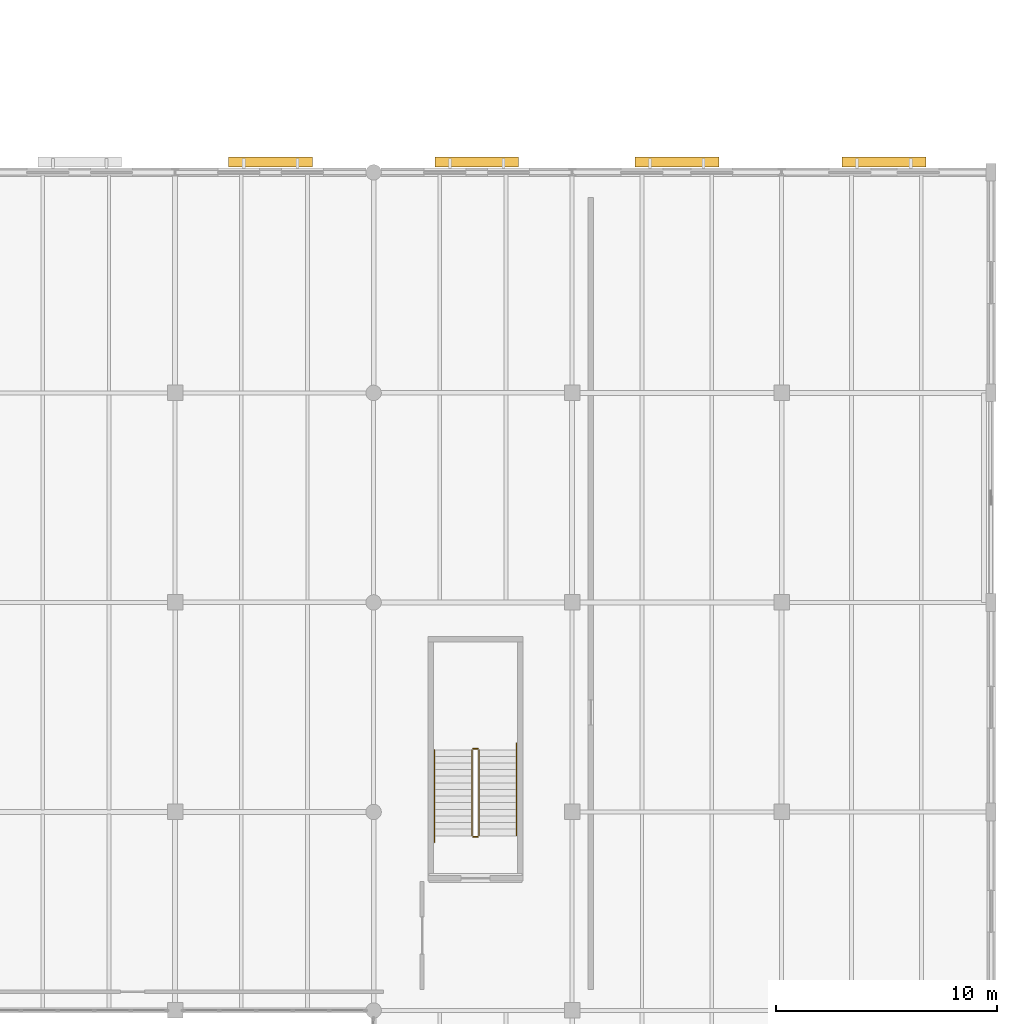
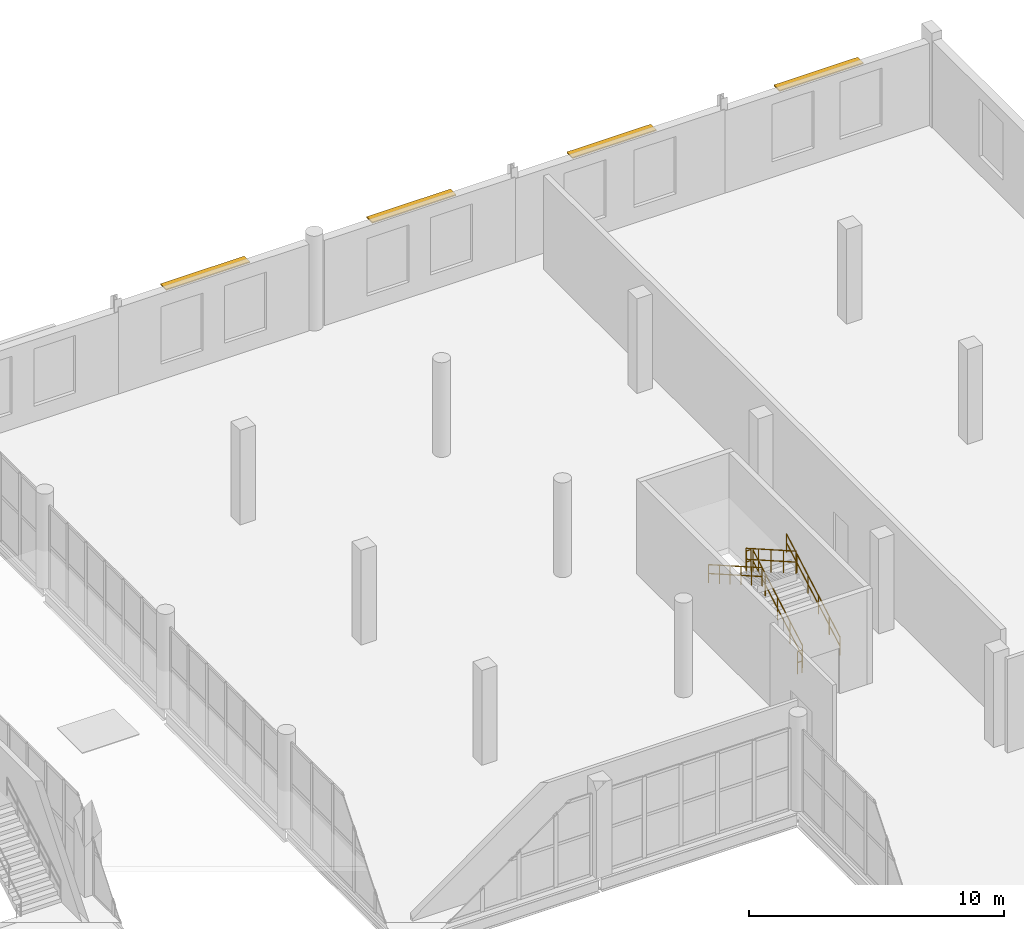
# One storey, part 93 of 93: 6 railings, 4 shading devices.
"""IFC4 building model written with IfcOpenShell, lengths in metres."""

from ifc_helpers import new_model, si_unit, direction, frame, origin, origin_2d, place, context, subcontext, project, spatial, rectangle, circle, extrude, material, layer, layer_set, type_object, element, save


model = new_model("IFC4")

# Units and contexts
model_context = context("Model", 3, precision=1e-05, world=origin(), true_north=direction((0.0, 1.0)))
body_context = subcontext(model_context, "Body", "Model", "MODEL_VIEW")
ifc_project = project(units=[si_unit("LENGTHUNIT", "METRE"), si_unit("AREAUNIT", "SQUARE_METRE"), si_unit("VOLUMEUNIT", "CUBIC_METRE"), si_unit("PLANEANGLEUNIT", "RADIAN"), si_unit("MASSUNIT", "GRAM", prefix="KILO")], contexts=[model_context])

# Site, building, storey
site_placement = place(None, origin())
site = spatial("IfcSite", under=ifc_project, at=site_placement, CompositionType="ELEMENT")
building_placement = place(site_placement, origin())
building = spatial("IfcBuilding", under=site, at=building_placement, Name="Marnock Terrace Opera House", CompositionType="ELEMENT")
storey_placement = place(building_placement, frame((0.0, 0.0, 5.39990234375)))
storey = spatial("IfcBuildingStorey", under=building, at=storey_placement, Name="L01", CompositionType="ELEMENT", Elevation=5.39990234375)

# Railings
ifc_material_1 = material(Name="Architectural bronze balustrade")
railing_type_1 = type_object("IfcRailingType", Name="RL-GUARD-1100", PredefinedType="GUARDRAIL", material=ifc_material_1)
railing_1_placement = place(storey_placement, frame((140.77001953125, 73.919921875, 0.171630859375)))
element("IfcRailing", 1, at=railing_1_placement, inside=storey, type_object=railing_type_1, Name="L01 ST-08 stair guard 1", PredefinedType="GUARDRAIL", context=body_context, shape_type="SweptSolid", body=[
    extrude(circle(Radius=0.02392578125, at=origin_2d()), frame((0.0, 0.0, 1.076171875), z_axis=(0.0, 0.868256520506, 0.496115525457), x_axis=(-1.0, 0.0, 0.0)), (0.0, 0.0, 1.0), 4.491943359375),
    extrude(circle(Radius=0.02392578125, at=origin_2d()), frame((0.0, 0.0, 0.550048828125), z_axis=(0.0, 0.868256520506, 0.496115525457), x_axis=(-1.0, 0.0, 0.0)), (0.0, 0.0, 1.0), 4.491943359375),
    extrude(circle(Radius=0.02099609375, at=origin_2d()), origin(), (0.0, 0.0, 1.0), 1.052001953125),
    extrude(circle(Radius=0.02099609375, at=origin_2d()), frame((0.0, 0.97509765625, 0.55712890625)), (0.0, 0.0, 1.0), 1.052001953125),
    extrude(circle(Radius=0.02099609375, at=origin_2d()), frame((0.0, 1.9501953125, 1.1142578125)), (0.0, 0.0, 1.0), 1.052001953125),
    extrude(circle(Radius=0.02099609375, at=origin_2d()), frame((0.0, 2.925048828125, 1.67138671875)), (0.0, 0.0, 1.0), 1.052001953125),
    extrude(circle(Radius=0.02099609375, at=origin_2d()), frame((0.0, 3.900146484375, 2.228515625)), (0.0, 0.0, 1.0), 1.052001953125),
])
railing_2_placement = place(storey_placement, frame((140.719970703125, 77.8701171875, 2.400146484375)))
element("IfcRailing", 2, at=railing_2_placement, inside=storey, type_object=railing_type_1, Name="L01 ST-08 stair guard 2", PredefinedType="GUARDRAIL", context=body_context, shape_type="SweptSolid", body=[
    extrude(circle(Radius=0.02392578125, at=origin_2d()), frame((0.0, 0.0, 1.076171875), z_axis=(-1.0, 0.0, 0.0), x_axis=(0.0, -1.0, 0.0)), (0.0, 0.0, 1.0), 0.199951171875),
    extrude(circle(Radius=0.02392578125, at=origin_2d()), frame((0.0, 0.0, 0.550048828125), z_axis=(-1.0, 0.0, 0.0), x_axis=(0.0, -1.0, 0.0)), (0.0, 0.0, 1.0), 0.199951171875),
    extrude(circle(Radius=0.02099609375, at=origin_2d()), origin(), (0.0, 0.0, 1.0), 1.052001953125),
    extrude(circle(Radius=0.02099609375, at=origin_2d()), frame((-0.199951171875, 0.0, 0.0)), (0.0, 0.0, 1.0), 1.052001953125),
])
railing_3_placement = place(storey_placement, frame((140.469970703125, 77.820068359375, 2.571533203125)))
element("IfcRailing", 3, at=railing_3_placement, inside=storey, type_object=railing_type_1, Name="L01 ST-08 stair guard 3", PredefinedType="GUARDRAIL", context=body_context, shape_type="SweptSolid", body=[
    extrude(circle(Radius=0.02392578125, at=origin_2d()), frame((0.0, 0.0, 1.076171875), z_axis=(0.0, -0.868256520506, 0.496115525457), x_axis=(1.0, 0.0, 0.0)), (0.0, 0.0, 1.0), 4.491943359375),
    extrude(circle(Radius=0.02392578125, at=origin_2d()), frame((0.0, 0.0, 0.550048828125), z_axis=(0.0, -0.868256520506, 0.496115525457), x_axis=(1.0, 0.0, 0.0)), (0.0, 0.0, 1.0), 4.491943359375),
    extrude(circle(Radius=0.02099609375, at=origin_2d()), origin(), (0.0, 0.0, 1.0), 1.052001953125),
    extrude(circle(Radius=0.02099609375, at=origin_2d()), frame((0.0, -0.97509765625, 0.55712890625)), (0.0, 0.0, 1.0), 1.052001953125),
    extrude(circle(Radius=0.02099609375, at=origin_2d()), frame((0.0, -1.9501953125, 1.1142578125)), (0.0, 0.0, 1.0), 1.052001953125),
    extrude(circle(Radius=0.02099609375, at=origin_2d()), frame((0.0, -2.925048828125, 1.67138671875)), (0.0, 0.0, 1.0), 1.052001953125),
    extrude(circle(Radius=0.02099609375, at=origin_2d()), frame((0.0, -3.900146484375, 2.228515625)), (0.0, 0.0, 1.0), 1.052001953125),
])
railing_4_placement = place(storey_placement, frame((140.719970703125, 73.8701171875, 0.0)))
element("IfcRailing", 4, at=railing_4_placement, inside=storey, type_object=railing_type_1, Name="L01 ST-08 stair guard 4", PredefinedType="GUARDRAIL", context=body_context, shape_type="SweptSolid", body=[
    extrude(circle(Radius=0.02392578125, at=origin_2d()), frame((0.0, 0.0, 1.076171875), z_axis=(-1.0, 0.0, 0.0), x_axis=(0.0, -1.0, 0.0)), (0.0, 0.0, 1.0), 0.199951171875),
    extrude(circle(Radius=0.02392578125, at=origin_2d()), frame((0.0, 0.0, 0.550048828125), z_axis=(-1.0, 0.0, 0.0), x_axis=(0.0, -1.0, 0.0)), (0.0, 0.0, 1.0), 0.199951171875),
    extrude(circle(Radius=0.02099609375, at=origin_2d()), origin(), (0.0, 0.0, 1.0), 1.052001953125),
    extrude(circle(Radius=0.02099609375, at=origin_2d()), frame((-0.199951171875, 0.0, 0.0)), (0.0, 0.0, 1.0), 1.052001953125),
])
railing_type_2 = type_object("IfcRailingType", Name="RL-HAND-900", PredefinedType="HANDRAIL", material=ifc_material_1)
railing_5_placement = place(storey_placement, frame((142.469970703125, 73.919921875, 0.18359375)))
element("IfcRailing", 5, at=railing_5_placement, inside=storey, type_object=railing_type_2, Name="L01 ST-08 stair handrail 1", PredefinedType="HANDRAIL", context=body_context, shape_type="SweptSolid", body=[
    extrude(circle(Radius=0.02392578125, at=origin_2d()), frame((0.0, 0.0, 0.8759765625), z_axis=(0.0, 0.868261776072, 0.496106327528), x_axis=(-1.0, 0.0, 0.0)), (0.0, 0.0, 1.0), 4.83740234375),
    extrude(circle(Radius=0.02392578125, at=origin_2d()), frame((0.0, 0.0, 0.449951171875), z_axis=(0.0, 0.868261776072, 0.496106327528), x_axis=(-1.0, 0.0, 0.0)), (0.0, 0.0, 1.0), 4.83740234375),
    extrude(circle(Radius=0.02099609375, at=origin_2d()), origin(), (0.0, 0.0, 1.0), 0.851806640625),
    extrude(circle(Radius=0.02099609375, at=origin_2d()), frame((0.0, 0.840087890625, 0.47998046875)), (0.0, 0.0, 1.0), 0.851806640625),
    extrude(circle(Radius=0.02099609375, at=origin_2d()), frame((0.0, 1.68017578125, 0.9599609375)), (0.0, 0.0, 1.0), 0.851806640625),
    extrude(circle(Radius=0.02099609375, at=origin_2d()), frame((0.0, 2.52001953125, 1.43994140625)), (0.0, 0.0, 1.0), 0.851806640625),
    extrude(circle(Radius=0.02099609375, at=origin_2d()), frame((0.0, 3.360107421875, 1.919921875)), (0.0, 0.0, 1.0), 0.851806640625),
    extrude(circle(Radius=0.02099609375, at=origin_2d()), frame((0.0, 4.2001953125, 2.39990234375)), (0.0, 0.0, 1.0), 0.851806640625),
])
railing_6_placement = place(storey_placement, frame((138.77001953125, 77.820068359375, 2.58349609375)))
element("IfcRailing", 6, at=railing_6_placement, inside=storey, type_object=railing_type_2, Name="L01 ST-08 stair handrail 2", PredefinedType="HANDRAIL", context=body_context, shape_type="SweptSolid", body=[
    extrude(circle(Radius=0.02392578125, at=origin_2d()), frame((0.0, 0.0, 0.8759765625), z_axis=(0.0, -0.868227612608, 0.496166114024), x_axis=(1.0, 0.0, 0.0)), (0.0, 0.0, 1.0), 4.83740234375),
    extrude(circle(Radius=0.02392578125, at=origin_2d()), frame((0.0, 0.0, 0.449951171875), z_axis=(0.0, -0.868227612608, 0.496166114024), x_axis=(1.0, 0.0, 0.0)), (0.0, 0.0, 1.0), 4.83740234375),
    extrude(circle(Radius=0.02099609375, at=origin_2d()), origin(), (0.0, 0.0, 1.0), 0.851806640625),
    extrude(circle(Radius=0.02099609375, at=origin_2d()), frame((0.0, -0.840087890625, 0.47998046875)), (0.0, 0.0, 1.0), 0.851806640625),
    extrude(circle(Radius=0.02099609375, at=origin_2d()), frame((0.0, -1.679931640625, 0.9599609375)), (0.0, 0.0, 1.0), 0.851806640625),
    extrude(circle(Radius=0.02099609375, at=origin_2d()), frame((0.0, -2.52001953125, 1.440185546875)), (0.0, 0.0, 1.0), 0.851806640625),
    extrude(circle(Radius=0.02099609375, at=origin_2d()), frame((0.0, -3.35986328125, 1.920166015625)), (0.0, 0.0, 1.0), 0.851806640625),
    extrude(circle(Radius=0.02099609375, at=origin_2d()), frame((0.0, -4.199951171875, 2.400146484375)), (0.0, 0.0, 1.0), 0.851806640625),
])

# Shading devices
ifc_material_2 = material(Name="Architectural cast bronze")
ifc_layer = layer(ifc_material_2, 0.054931640625)
ifc_layer_set = layer_set([ifc_layer], Name="Architectural cast bronze")
shading_device_type = type_object("IfcShadingDeviceType", Name="SHD-LOUVRE-3800", PredefinedType="JALOUSIE", material=ifc_layer_set)
for number, where, z_axis, x_axis, name in (
    (7, (131.326904296875, 104.465087890625, 3.85009765625), (0.0, 0.0, 1.0), (1.0, 0.0, 0.0), "Adelaide sun-control bronze brise-soleil EW-V5N-L01-2"),
    (8, (140.673095703125, 104.465087890625, 3.7919921875), (0.0, 0.0, 1.0), (1.0, 0.0, 0.0), "Adelaide sun-control bronze brise-soleil EW-V5N-L01-3"),
    (9, (149.75, 104.465087890625, 3.7197265625), (0.0, 0.0, 1.0), (1.0, 0.0, 0.0), "Adelaide sun-control bronze brise-soleil EW-V5N-L01-4"),
    (10, (159.139404296875, 104.465087890625, 3.6455078125), (0.0, 0.0, 1.0), (1.0, 0.0, 0.0), "Adelaide sun-control bronze brise-soleil EW-V5N-L01-5"),
):
    element("IfcShadingDevice", number, at=place(storey_placement, frame(where, z_axis=z_axis, x_axis=x_axis)), inside=storey, type_object=shading_device_type, Name=name, PredefinedType="JALOUSIE", context=body_context, shape_type="SweptSolid", body=[
        extrude(rectangle(XDim=3.800048828125, YDim=0.449951171875, at=origin_2d()), origin(), (0.0, 0.0, 1.0), 0.054931640625),
    ])

save(model, "model.ifc")
